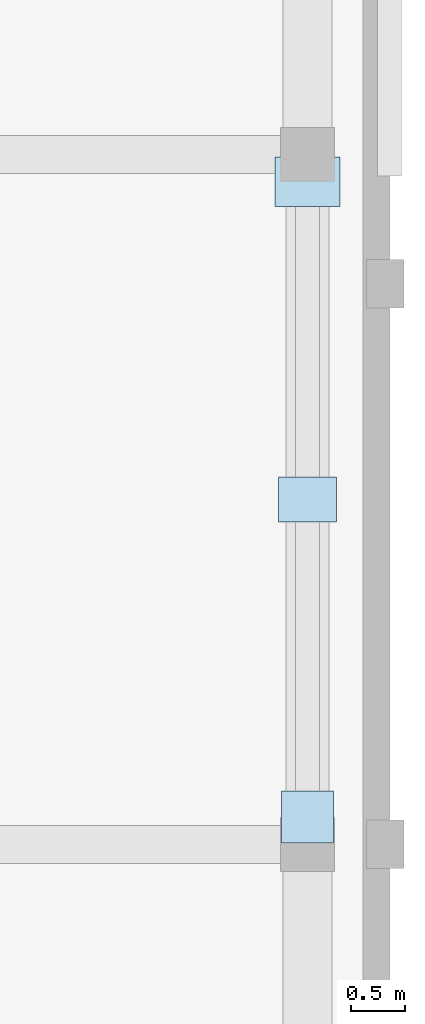
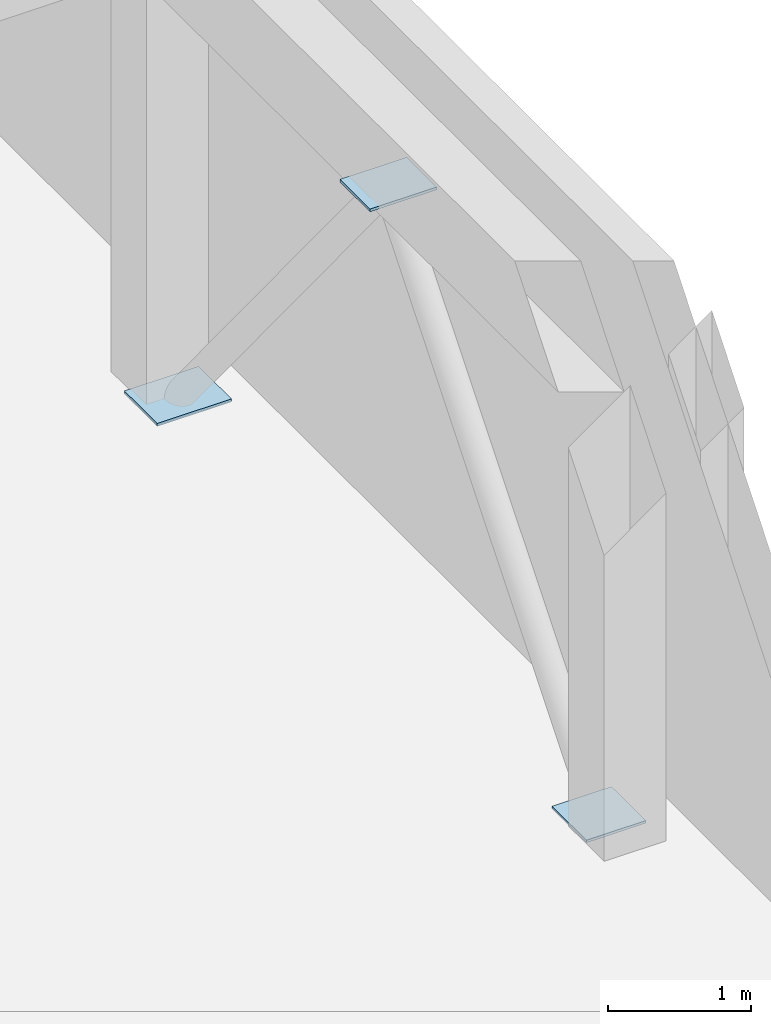
# One storey, part 4 of 11: 3 plates.
"""IFC4 building model written with IfcOpenShell, lengths in metres."""

from ifc_helpers import new_model, si_unit, direction, frame, origin, origin_2d, place, context, subcontext, project, spatial, rectangle, extrude, material, layer, layer_set, type_object, element, save


model = new_model("IFC4")

# Units and contexts
model_context = context("Model", 3, precision=1e-05, world=origin(), true_north=direction((0.0, 1.0)))
body_context = subcontext(model_context, "Body", "Model", "MODEL_VIEW")
ifc_project = project(units=[si_unit("LENGTHUNIT", "METRE"), si_unit("AREAUNIT", "SQUARE_METRE"), si_unit("VOLUMEUNIT", "CUBIC_METRE"), si_unit("PLANEANGLEUNIT", "RADIAN"), si_unit("MASSUNIT", "GRAM", prefix="KILO")], contexts=[model_context])

# Site, building, storey
site_placement = place(None, origin())
site = spatial("IfcSite", under=ifc_project, at=site_placement, CompositionType="ELEMENT")
building_placement = place(site_placement, origin())
building = spatial("IfcBuilding", under=site, at=building_placement, Name="Cinchona Park Media Centre", CompositionType="ELEMENT")
storey_placement = place(building_placement, frame((0.0, 0.0, 24.89990234375)))
storey = spatial("IfcBuildingStorey", under=building, at=storey_placement, Name="L05", CompositionType="ELEMENT", Elevation=24.89990234375)

# Plates
ifc_material_1 = material(Name="Steel S355", Category="steel")
ifc_layer_1 = layer(ifc_material_1, 0.02197265625)
ifc_layer_set_1 = layer_set([ifc_layer_1], Name="Steel S355")
plate_type_1 = type_object("IfcPlateType", Name="PLATE-GP02", PredefinedType="USERDEFINED", material=ifc_layer_set_1)
plate_1_placement = place(storey_placement, frame((171.360107421875, 87.85498046875, -0.005859375), z_axis=(0.0, 0.0, 1.0), x_axis=(1.0, 0.0, 0.0)))
element("IfcPlate", 1, at=plate_1_placement, inside=storey, type_object=plate_type_1, Name="Truss Node Gusset Plate TN2", ObjectType="GUSSET PLATE", PredefinedType="USERDEFINED", context=body_context, shape_type="SweptSolid", body=[
    extrude(rectangle(XDim=0.47998046875, YDim=0.47998046875, at=origin_2d()), origin(), (0.0, 0.0, 1.0), 0.02197265625),
])
ifc_material_2 = material(Name="Steel S355", Category="steel")
ifc_layer_2 = layer(ifc_material_2, 0.02392578125)
ifc_layer_set_2 = layer_set([ifc_layer_2], Name="Steel S355")
plate_type_2 = type_object("IfcPlateType", Name="PLATE-GP03", PredefinedType="USERDEFINED", material=ifc_layer_set_2)
plate_2_placement = place(storey_placement, frame((171.360107421875, 90.800048828125, 3.588134765625), z_axis=(0.0, 0.0, 1.0), x_axis=(1.0, 0.0, 0.0)))
element("IfcPlate", 2, at=plate_2_placement, inside=storey, type_object=plate_type_2, Name="Truss Node Gusset Plate TN2", ObjectType="GUSSET PLATE", PredefinedType="USERDEFINED", context=body_context, shape_type="SweptSolid", body=[
    extrude(rectangle(XDim=0.5400390625, YDim=0.419921875, at=origin_2d()), origin(), (0.0, 0.0, 1.0), 0.02392578125),
])
ifc_material_3 = material(Name="Steel S355", Category="steel")
ifc_layer_3 = layer(ifc_material_3, 0.02587890625)
ifc_layer_set_3 = layer_set([ifc_layer_3], Name="Steel S355")
plate_type_3 = type_object("IfcPlateType", Name="PLATE-GP04", PredefinedType="USERDEFINED", material=ifc_layer_set_3)
plate_3_placement = place(storey_placement, frame((171.360107421875, 93.7451171875, -0.0078125), z_axis=(0.0, 0.0, 1.0), x_axis=(1.0, 0.0, 0.0)))
element("IfcPlate", 3, at=plate_3_placement, inside=storey, type_object=plate_type_3, Name="Truss Node Gusset Plate TN2", ObjectType="GUSSET PLATE", PredefinedType="USERDEFINED", context=body_context, shape_type="SweptSolid", body=[
    extrude(rectangle(XDim=0.60009765625, YDim=0.4599609375, at=origin_2d()), origin(), (0.0, 0.0, 1.0), 0.02587890625),
])

save(model, "model.ifc")
